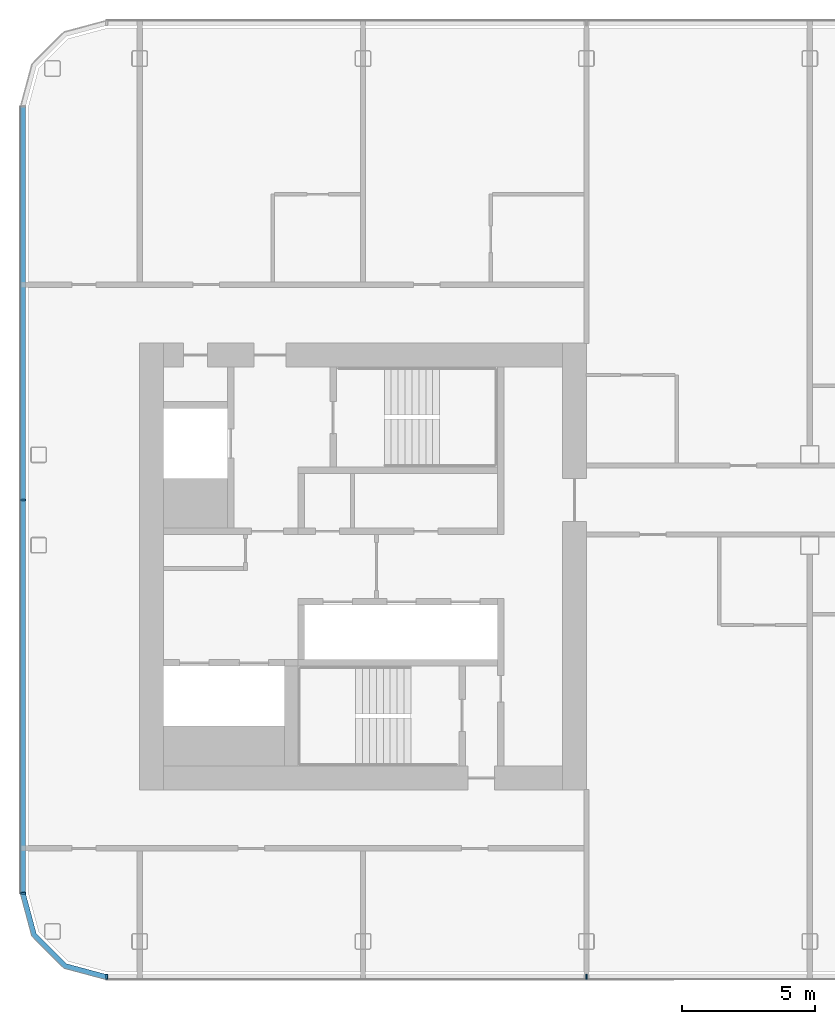
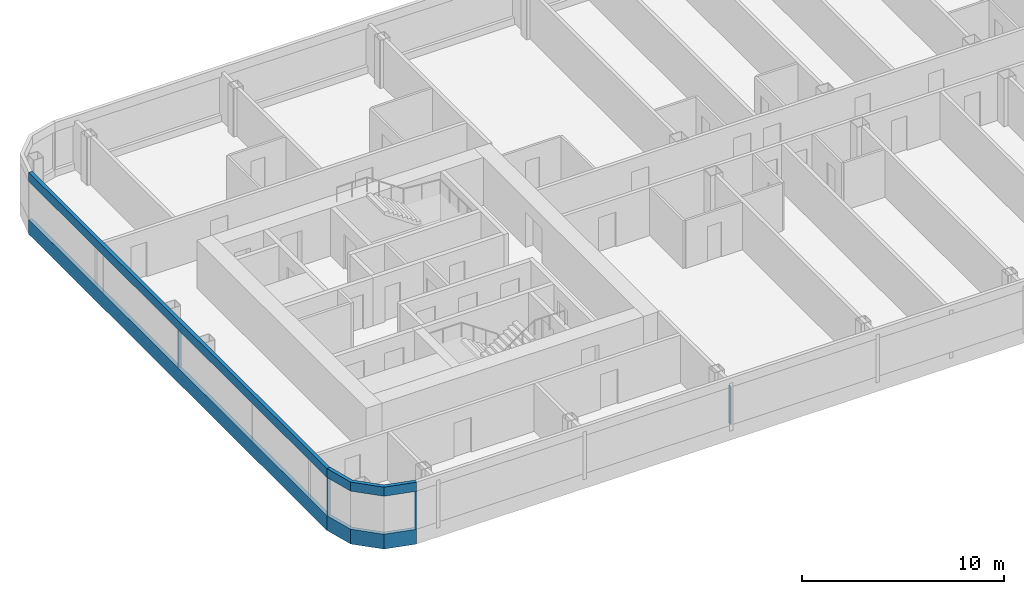
# One storey, part 2 of 26: 8 members, 3 elements without a shape of their own.
"""IFC4 building model written with IfcOpenShell, lengths in metres."""

from ifc_helpers import new_model, si_unit, direction, frame, origin, origin_2d, place, context, subcontext, project, spatial, polyline, rectangle, outline, extrude, material, layer, layer_set, material_profile, profile_set, type_object, element, aggregate, save


model = new_model("IFC4")

# Units and contexts
model_context = context("Model", 3, precision=1e-05, world=origin(), true_north=direction((0.0, 1.0)))
body_context = subcontext(model_context, "Body", "Model", "MODEL_VIEW")
ifc_project = project(units=[si_unit("LENGTHUNIT", "METRE"), si_unit("AREAUNIT", "SQUARE_METRE"), si_unit("VOLUMEUNIT", "CUBIC_METRE"), si_unit("PLANEANGLEUNIT", "RADIAN"), si_unit("MASSUNIT", "GRAM", prefix="KILO")], contexts=[model_context])

# Site, building, storey
site_placement = place(None, origin())
site = spatial("IfcSite", under=ifc_project, at=site_placement, CompositionType="ELEMENT")
building_placement = place(site_placement, origin())
building = spatial("IfcBuilding", under=site, at=building_placement, Name="Hakoniwa Tower and Hamabe Station Hall", CompositionType="ELEMENT")
storey_placement = place(building_placement, frame((0.0, 0.0, 225.0)))
storey = spatial("IfcBuildingStorey", under=building, at=storey_placement, Name="L64", CompositionType="ELEMENT", Elevation=225.0)

# Curtain wall, member
ifc_material_1 = material(Name="Dark low-e laminated glass", Category="glass")
ifc_layer = layer(ifc_material_1, 0.199951171875)
ifc_layer_set = layer_set([ifc_layer], Name="CW-1 UNITISED GUEST")
curtain_wall_type = type_object("IfcCurtainWallType", Name="CW-1 UNITISED GUEST", PredefinedType="NOTDEFINED", material=ifc_layer_set)
curtain_wall_1_placement = place(storey_placement, origin())
curtain_wall_1 = element("IfcCurtainWall", 1, at=curtain_wall_1_placement, inside=storey, type_object=curtain_wall_type, Name="CW-1 curtain wall", PredefinedType="NOTDEFINED")
ifc_material_2 = material(Name="Aluminium 6063-T5 black anodised", Category="aluminium")
ifc_material_profile_1 = material_profile(ifc_material_2, rectangle(XDim=0.199951171875, YDim=0.550048828125, at=origin_2d()), Name="CW HEAD BAND 550X200")
ifc_profile_set_1 = profile_set([ifc_material_profile_1], Name="Aluminium 6063-T5 black anodised")
member_type_1 = type_object("IfcMemberType", Name="CW HEAD BAND 550X200", PredefinedType="USERDEFINED", material=ifc_profile_set_1)
member_1_placement = place(storey_placement, frame((-38.0, 17.28955078125, 2.925048828125), z_axis=(0.0, -1.0, 0.0), x_axis=(1.0, 0.0, 0.0)))
member_1 = element("IfcMember", 2, at=member_1_placement, type_object=member_type_1, Name="CW-1 transom", ObjectType="TRANSOM", PredefinedType="USERDEFINED", context=body_context, shape_type="SweptSolid", body=[
    extrude(rectangle(XDim=0.199951171875, YDim=0.550048828125, at=origin_2d()), origin(), (0.0, 0.0, 1.0), 29.5791015625),
])

curtain_wall_2_placement = place(storey_placement, origin())
curtain_wall_2 = element("IfcCurtainWall", 3, at=curtain_wall_2_placement, inside=storey, type_object=curtain_wall_type, Name="CW-1 curtain wall", PredefinedType="NOTDEFINED")
member_2_placement = place(storey_placement, frame((0.0, 0.0, 2.64990234375)))
member_2 = element("IfcMember", 4, at=member_2_placement, type_object=member_type_1, Name="CW-1 transom", ObjectType="TRANSOM", PredefinedType="USERDEFINED", context=body_context, shape_type="SweptSolid", body=[
    extrude(outline(polyline([(-38.10009765625, -12.28955078125), (-37.6669921875, -13.9052734375), (-36.455322265625, -15.116943359375), (-34.839599609375, -15.550048828125), (-34.787841796875, -15.35693359375), (-36.351806640625, -14.937744140625), (-37.48779296875, -13.8017578125), (-37.90673828125, -12.23779296875), (-38.10009765625, -12.28955078125)])), origin(), (0.0, 0.0, 1.0), 0.550048828125),
])

# Member
ifc_material_3 = material(Name="Aluminium 6063-T5 black anodised", Category="aluminium")
ifc_material_profile_2 = material_profile(ifc_material_3, rectangle(XDim=0.199951171875, YDim=0.89990234375, at=origin_2d()), Name="CW SLAB-EDGE BAND 900X200")
ifc_profile_set_2 = profile_set([ifc_material_profile_2], Name="Aluminium 6063-T5 black anodised")
member_type_2 = type_object("IfcMemberType", Name="CW SLAB-EDGE BAND 900X200", PredefinedType="USERDEFINED", material=ifc_profile_set_2)
member_3_placement = place(storey_placement, frame((-38.0, 17.28955078125, -0.10009765625), z_axis=(0.0, -1.0, 0.0), x_axis=(1.0, 0.0, 0.0)))
member_3 = element("IfcMember", 5, at=member_3_placement, type_object=member_type_2, Name="CW-1 transom", ObjectType="TRANSOM", PredefinedType="USERDEFINED", context=body_context, shape_type="SweptSolid", body=[
    extrude(rectangle(XDim=0.199951171875, YDim=0.89990234375, at=origin_2d()), origin(), (0.0, 0.0, 1.0), 29.5791015625),
])

member_4_placement = place(storey_placement, frame((0.0, 0.0, -0.550048828125)))
member_4 = element("IfcMember", 6, at=member_4_placement, type_object=member_type_2, Name="CW-1 transom", ObjectType="TRANSOM", PredefinedType="USERDEFINED", context=body_context, shape_type="SweptSolid", body=[
    extrude(outline(polyline([(-38.10009765625, -12.28955078125), (-37.6669921875, -13.9052734375), (-36.455322265625, -15.116943359375), (-34.839599609375, -15.550048828125), (-34.787841796875, -15.35693359375), (-36.351806640625, -14.937744140625), (-37.48779296875, -13.8017578125), (-37.90673828125, -12.23779296875), (-38.10009765625, -12.28955078125)])), origin(), (0.0, 0.0, 1.0), 0.900146484375),
])

aggregate(curtain_wall_2, [member_4, member_2])

ifc_material_4 = material(Name="Aluminium 6063-T5 black anodised", Category="aluminium")
ifc_material_profile_3 = material_profile(ifc_material_4, rectangle(XDim=0.06005859375, YDim=0.179931640625, at=origin_2d()), Name="CW-1 MULLION 60X180")
ifc_profile_set_3 = profile_set([ifc_material_profile_3], Name="Aluminium 6063-T5 black anodised")
member_type_3 = type_object("IfcMemberType", Name="CW-1 MULLION 60X180", PredefinedType="MULLION", material=ifc_profile_set_3)
member_5_placement = place(storey_placement, frame((-37.98193359375, 2.5, 0.35009765625), z_axis=(0.0, 0.0, 1.0), x_axis=(0.0, -1.0, 0.0)))
member_5 = element("IfcMember", 7, at=member_5_placement, type_object=member_type_3, Name="CW-1 mullion", PredefinedType="MULLION", context=body_context, shape_type="SweptSolid", body=[
    extrude(rectangle(XDim=0.06005859375, YDim=0.179931640625, at=origin_2d()), origin(), (0.0, 0.0, 1.0), 2.2998046875),
])

member_6_placement = place(storey_placement, frame((-37.98193359375, -12.28955078125, 0.35009765625), z_axis=(0.0, 0.0, 1.0), x_axis=(0.0, -1.0, 0.0)))
member_6 = element("IfcMember", 8, at=member_6_placement, type_object=member_type_3, Name="CW-1 mullion", PredefinedType="MULLION", context=body_context, shape_type="SweptSolid", body=[
    extrude(rectangle(XDim=0.06005859375, YDim=0.179931640625, at=origin_2d()), origin(), (0.0, 0.0, 1.0), 2.2998046875),
])

aggregate(curtain_wall_1, [member_5, member_6, member_3, member_1])

# Curtain wall, members
curtain_wall_3_placement = place(storey_placement, origin())
curtain_wall_3 = element("IfcCurtainWall", 9, at=curtain_wall_3_placement, inside=storey, type_object=curtain_wall_type, Name="CW-1 curtain wall", PredefinedType="NOTDEFINED")
member_7_placement = place(storey_placement, frame((-34.839599609375, -15.431884765625, 0.35009765625), z_axis=(0.0, 0.0, 1.0), x_axis=(1.0, 0.0, 0.0)))
member_7 = element("IfcMember", 10, at=member_7_placement, type_object=member_type_3, Name="CW-1 mullion", PredefinedType="MULLION", context=body_context, shape_type="SweptSolid", body=[
    extrude(rectangle(XDim=0.06005859375, YDim=0.179931640625, at=origin_2d()), origin(), (0.0, 0.0, 1.0), 2.2998046875),
])
member_8_placement = place(storey_placement, frame((-16.800048828125, -15.431884765625, 0.35009765625), z_axis=(0.0, 0.0, 1.0), x_axis=(1.0, 0.0, 0.0)))
member_8 = element("IfcMember", 11, at=member_8_placement, type_object=member_type_3, Name="CW-1 mullion", PredefinedType="MULLION", context=body_context, shape_type="SweptSolid", body=[
    extrude(rectangle(XDim=0.06005859375, YDim=0.179931640625, at=origin_2d()), origin(), (0.0, 0.0, 1.0), 2.2998046875),
])
aggregate(curtain_wall_3, [member_7, member_8])

save(model, "model.ifc")
